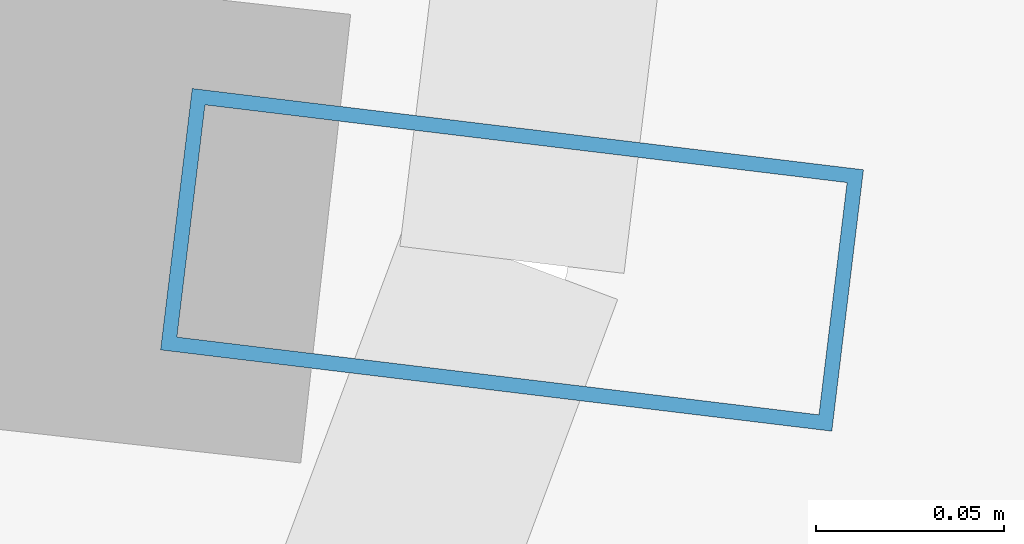
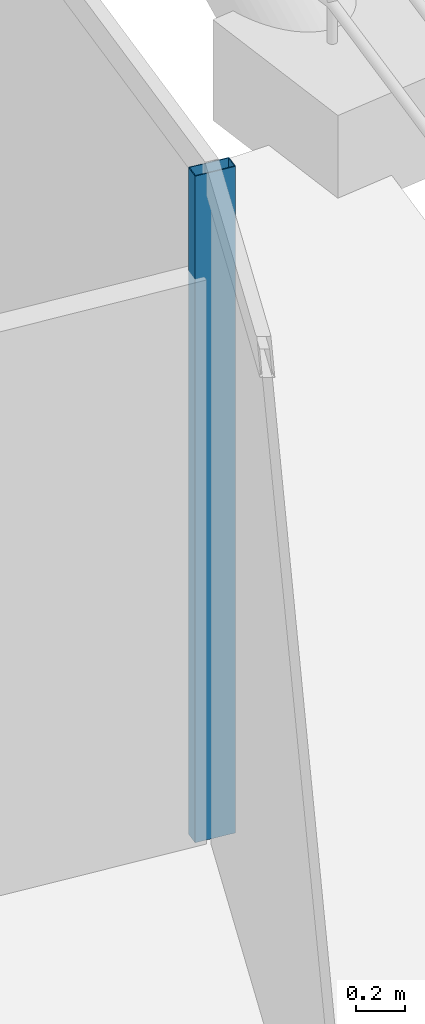
# One storey, part 9 of 21: 1 member, 1 element without a shape of its own.
"""IFC4 building model written with IfcOpenShell, lengths in metres."""

from ifc_helpers import new_model, si_unit, direction, frame, origin, origin_2d, place, context, subcontext, project, spatial, hollow_rectangle, extrude, material, layer, layer_set, material_profile, profile_set, type_object, element, aggregate, save


model = new_model("IFC4")

# Units and contexts
model_context = context("Model", 3, precision=1e-05, world=origin(), true_north=direction((0.0, 1.0)))
body_context = subcontext(model_context, "Body", "Model", "MODEL_VIEW")
ifc_project = project(units=[si_unit("LENGTHUNIT", "METRE"), si_unit("AREAUNIT", "SQUARE_METRE"), si_unit("VOLUMEUNIT", "CUBIC_METRE"), si_unit("PLANEANGLEUNIT", "RADIAN"), si_unit("MASSUNIT", "GRAM", prefix="KILO")], contexts=[model_context])

# Site, building, storey
site_placement = place(None, origin())
site = spatial("IfcSite", under=ifc_project, at=site_placement, CompositionType="ELEMENT")
building_placement = place(site_placement, origin())
building = spatial("IfcBuilding", under=site, at=building_placement, Name="Veldorina Hangang Commons", CompositionType="ELEMENT")
storey_placement = place(building_placement, frame((0.0, 0.0, 142.39990234375)))
storey = spatial("IfcBuildingStorey", under=building, at=storey_placement, Name="L36", CompositionType="ELEMENT", Elevation=142.39990234375)

# Curtain wall, member
ifc_material_1 = material(Name="Glass Low-E Triple IGU", Category="glass")
ifc_layer = layer(ifc_material_1, 0.179931640625)
ifc_layer_set = layer_set([ifc_layer], Name="Glass Low-E Triple IGU")
curtain_wall_type = type_object("IfcCurtainWallType", Name="CW-SYS-Z2", PredefinedType="NOTDEFINED", material=ifc_layer_set)
curtain_wall_placement = place(storey_placement, origin())
curtain_wall = element("IfcCurtainWall", 1, at=curtain_wall_placement, inside=storey, type_object=curtain_wall_type, Name="L36 unitised curtain wall CW-L36-R2", PredefinedType="NOTDEFINED")
ifc_material_2 = material(Name="Aluminium Anodized AA6063-T6", Category="aluminium")
ifc_material_profile = material_profile(ifc_material_2, hollow_rectangle(XDim=0.070068359375, YDim=0.179931640625, WallThickness=0.00390625, at=origin_2d()), Name="ALU-RHS-180x70x4")
ifc_profile_set = profile_set([ifc_material_profile], Name="Aluminium Anodized AA6063-T6")
member_type = type_object("IfcMemberType", Name="CW-MUL-180", PredefinedType="MULLION", material=ifc_profile_set)
member_placement = place(storey_placement, frame((57.39697265625, 19.889404296875, 0.0), z_axis=(0.0, 0.0, 1.0), x_axis=(0.12017149253, 0.992753147758, 0.0)))
member = element("IfcMember", 2, at=member_placement, type_object=member_type, Name="CW-L36-R2 vertical mullion 3", PredefinedType="MULLION", context=body_context, shape_type="SweptSolid", body=[
    extrude(hollow_rectangle(XDim=0.070068359375, YDim=0.179931640625, WallThickness=0.00390625, at=origin_2d()), origin(), (0.0, 0.0, 1.0), 3.31005859375),
])
aggregate(curtain_wall, [member])

save(model, "model.ifc")
